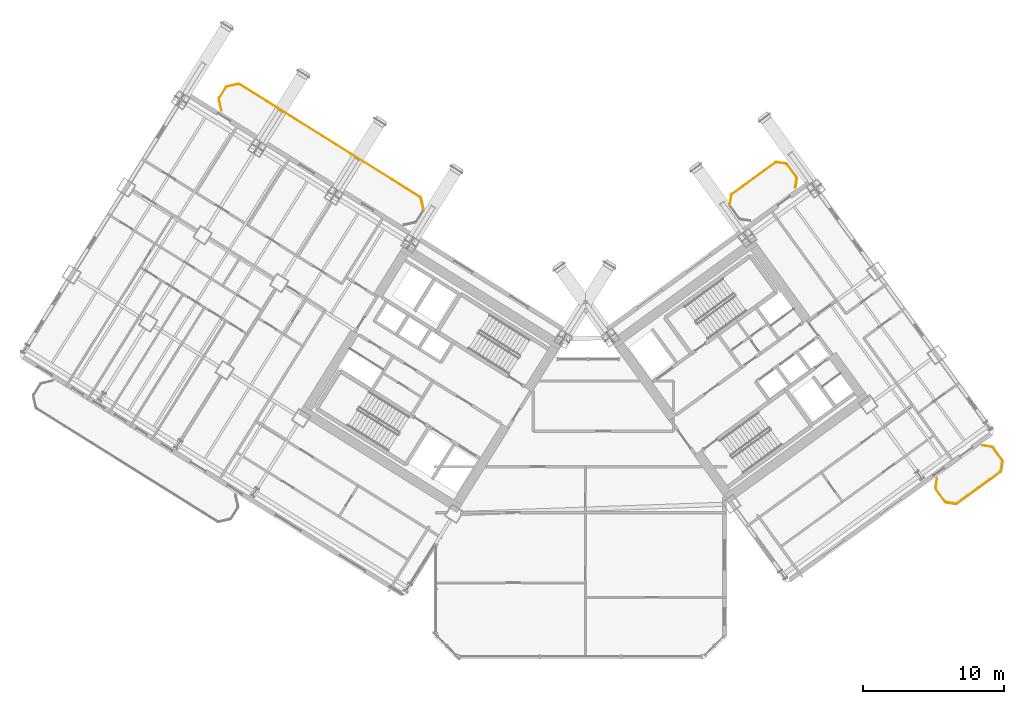
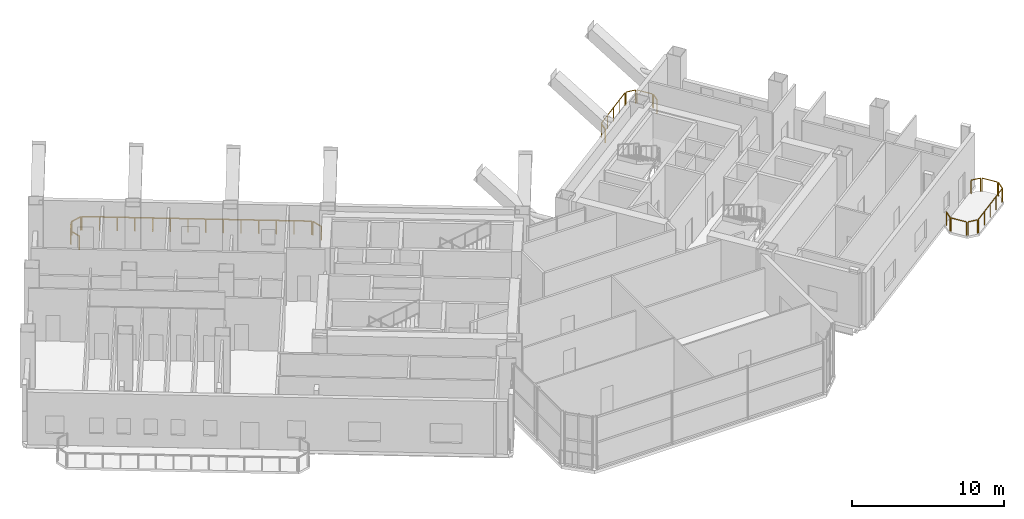
# One storey, part 30 of 30: 17 railings.
"""IFC4 building model written with IfcOpenShell, lengths in metres."""

from ifc_helpers import new_model, si_unit, direction, frame, origin, origin_2d, place, context, subcontext, project, spatial, rectangle, extrude, source, transform, mapped, material, type_object, element, save


model = new_model("IFC4")

# Units and contexts
model_context = context("Model", 3, precision=1e-05, world=origin(), true_north=direction((0.0, 1.0)))
body_context = subcontext(model_context, "Body", "Model", "MODEL_VIEW")
ifc_project = project(units=[si_unit("LENGTHUNIT", "METRE"), si_unit("AREAUNIT", "SQUARE_METRE"), si_unit("VOLUMEUNIT", "CUBIC_METRE"), si_unit("PLANEANGLEUNIT", "RADIAN"), si_unit("MASSUNIT", "GRAM", prefix="KILO")], contexts=[model_context])

# Site, building, storey
site_placement = place(None, origin())
site = spatial("IfcSite", under=ifc_project, at=site_placement, CompositionType="ELEMENT")
building_placement = place(site_placement, origin())
building = spatial("IfcBuilding", under=site, at=building_placement, Name="Tlacorven Tower", CompositionType="ELEMENT")
storey_placement = place(building_placement, frame((0.0, 0.0, 67.199951171875)))
storey = spatial("IfcBuildingStorey", under=building, at=storey_placement, Name="L17", CompositionType="ELEMENT", Elevation=67.199951171875)

# Railings
ifc_material = material(Name="Aluminium and painted steel balustrade", Category="steel")
railing_type = type_object("IfcRailingType", Name="RL-BAL-1100", PredefinedType="BALUSTRADE", material=ifc_material)
shared_shape_1 = source(origin(), body_context, "Body", "SweptSolid", [
    extrude(rectangle(XDim=0.048095703125, YDim=0.048095703125, at=origin_2d()), frame((0.0, 0.0, 1.076171875), z_axis=(0.225058334816, -0.974345290916, 0.0), x_axis=(0.974345290916, 0.225058334816, 0.0)), (0.0, 0.0, 1.0), 0.80712890625),
    extrude(rectangle(XDim=0.0419921875, YDim=0.0419921875, at=origin_2d()), origin(), (0.0, 0.0, 1.0), 1.052001953125),
    extrude(rectangle(XDim=0.0419921875, YDim=0.0419921875, at=origin_2d()), frame((0.181640625, -0.786376953125, 0.0)), (0.0, 0.0, 1.0), 1.052001953125),
])
railing_1_placement = place(storey_placement, frame((30.6796875, 34.466064453125, 0.0)))
element("IfcRailing", 1, at=railing_1_placement, inside=storey, type_object=railing_type, Name="BAL-L17-W-IN Guard Railing 1", PredefinedType="BALUSTRADE", context=body_context, shape_type="MappedRepresentation", body=[
    mapped(shared_shape_1, transform((0.0, 0.0, 0.0), scale=1.0)),
])
shared_shape_2 = source(origin(), body_context, "Body", "SweptSolid", [
    extrude(rectangle(XDim=0.048095703125, YDim=0.048095703125, at=origin_2d()), frame((0.0, 0.0, 1.076171875), z_axis=(-0.225058334816, 0.974345290916, 0.0), x_axis=(-0.974345290916, -0.225058334816, 0.0)), (0.0, 0.0, 1.0), 0.80712890625),
    extrude(rectangle(XDim=0.0419921875, YDim=0.0419921875, at=origin_2d()), origin(), (0.0, 0.0, 1.0), 1.052001953125),
    extrude(rectangle(XDim=0.0419921875, YDim=0.0419921875, at=origin_2d()), frame((-0.181640625, 0.786376953125, 0.0)), (0.0, 0.0, 1.0), 1.052001953125),
])
railing_2_placement = place(storey_placement, frame((16.5361328125, 40.68115234375, 0.0)))
element("IfcRailing", 2, at=railing_2_placement, inside=storey, type_object=railing_type, Name="BAL-L17-W-IN Guard Railing 4", PredefinedType="BALUSTRADE", context=body_context, shape_type="MappedRepresentation", body=[
    mapped(shared_shape_2, transform((0.0, 0.0, 0.0), scale=1.0)),
])
shared_shape_3 = source(origin(), body_context, "Body", "SweptSolid", [
    extrude(rectangle(XDim=0.048095703125, YDim=0.048095703125, at=origin_2d()), frame((0.0, 0.0, 1.076171875), z_axis=(0.52987865805, 0.848073468364, 0.0), x_axis=(-0.848073468364, 0.52987865805, 0.0)), (0.0, 0.0, 1.0), 0.912353515625),
    extrude(rectangle(XDim=0.0419921875, YDim=0.0419921875, at=origin_2d()), origin(), (0.0, 0.0, 1.0), 1.052001953125),
    extrude(rectangle(XDim=0.0419921875, YDim=0.0419921875, at=origin_2d()), frame((0.4833984375, 0.773681640625, 0.0)), (0.0, 0.0, 1.0), 1.052001953125),
])
railing_3_placement = place(storey_placement, frame((16.369873046875, 41.55859375, 0.0)))
element("IfcRailing", 3, at=railing_3_placement, inside=storey, type_object=railing_type, Name="BAL-L17-W-IN Guard Railing 5", PredefinedType="BALUSTRADE", context=body_context, shape_type="MappedRepresentation", body=[
    mapped(shared_shape_3, transform((0.0, 0.0, 0.0), scale=1.0)),
])
shared_shape_4 = source(origin(), body_context, "Body", "SweptSolid", [
    extrude(rectangle(XDim=0.048095703125, YDim=0.048095703125, at=origin_2d()), frame((0.0, 0.0, 1.076171875), z_axis=(0.974411586182, 0.224771129628, 0.0), x_axis=(-0.224771129628, 0.974411586182, 0.0)), (0.0, 0.0, 1.0), 0.80712890625),
    extrude(rectangle(XDim=0.0419921875, YDim=0.0419921875, at=origin_2d()), origin(), (0.0, 0.0, 1.0), 1.052001953125),
    extrude(rectangle(XDim=0.0419921875, YDim=0.0419921875, at=origin_2d()), frame((0.786376953125, 0.181396484375, 0.0)), (0.0, 0.0, 1.0), 1.052001953125),
])
railing_4_placement = place(storey_placement, frame((16.928466796875, 42.385986328125, 0.0)))
element("IfcRailing", 4, at=railing_4_placement, inside=storey, type_object=railing_type, Name="BAL-L17-W-IN Guard Railing 6", PredefinedType="BALUSTRADE", context=body_context, shape_type="MappedRepresentation", body=[
    mapped(shared_shape_4, transform((0.0, 0.0, 0.0), scale=1.0)),
])
shared_shape_5 = source(origin(), body_context, "Body", "SweptSolid", [
    extrude(rectangle(XDim=0.048095703125, YDim=0.048095703125, at=origin_2d()), frame((0.0, 0.0, 1.076171875), z_axis=(0.848044572804, -0.529924902733, 0.0), x_axis=(0.529924902733, 0.848044572804, 0.0)), (0.0, 0.0, 1.0), 15.1171875),
    extrude(rectangle(XDim=0.0419921875, YDim=0.0419921875, at=origin_2d()), origin(), (0.0, 0.0, 1.0), 1.052001953125),
    extrude(rectangle(XDim=0.0419921875, YDim=0.0419921875, at=origin_2d()), frame((0.986083984375, -0.6162109375, 0.0)), (0.0, 0.0, 1.0), 1.052001953125),
    extrude(rectangle(XDim=0.0419921875, YDim=0.0419921875, at=origin_2d()), frame((1.972412109375, -1.232421875, 0.0)), (0.0, 0.0, 1.0), 1.052001953125),
    extrude(rectangle(XDim=0.0419921875, YDim=0.0419921875, at=origin_2d()), frame((2.95849609375, -1.8486328125, 0.0)), (0.0, 0.0, 1.0), 1.052001953125),
    extrude(rectangle(XDim=0.0419921875, YDim=0.0419921875, at=origin_2d()), frame((3.944580078125, -2.46484375, 0.0)), (0.0, 0.0, 1.0), 1.052001953125),
    extrude(rectangle(XDim=0.0419921875, YDim=0.0419921875, at=origin_2d()), frame((4.930908203125, -3.0810546875, 0.0)), (0.0, 0.0, 1.0), 1.052001953125),
    extrude(rectangle(XDim=0.0419921875, YDim=0.0419921875, at=origin_2d()), frame((5.9169921875, -3.697265625, 0.0)), (0.0, 0.0, 1.0), 1.052001953125),
    extrude(rectangle(XDim=0.0419921875, YDim=0.0419921875, at=origin_2d()), frame((6.903076171875, -4.313720703125, 0.0)), (0.0, 0.0, 1.0), 1.052001953125),
    extrude(rectangle(XDim=0.0419921875, YDim=0.0419921875, at=origin_2d()), frame((7.88916015625, -4.929931640625, 0.0)), (0.0, 0.0, 1.0), 1.052001953125),
    extrude(rectangle(XDim=0.0419921875, YDim=0.0419921875, at=origin_2d()), frame((8.87548828125, -5.546142578125, 0.0)), (0.0, 0.0, 1.0), 1.052001953125),
    extrude(rectangle(XDim=0.0419921875, YDim=0.0419921875, at=origin_2d()), frame((9.861572265625, -6.162353515625, 0.0)), (0.0, 0.0, 1.0), 1.052001953125),
    extrude(rectangle(XDim=0.0419921875, YDim=0.0419921875, at=origin_2d()), frame((10.84765625, -6.778564453125, 0.0)), (0.0, 0.0, 1.0), 1.052001953125),
    extrude(rectangle(XDim=0.0419921875, YDim=0.0419921875, at=origin_2d()), frame((11.833984375, -7.394775390625, 0.0)), (0.0, 0.0, 1.0), 1.052001953125),
    extrude(rectangle(XDim=0.0419921875, YDim=0.0419921875, at=origin_2d()), frame((12.820068359375, -8.010986328125, 0.0)), (0.0, 0.0, 1.0), 1.052001953125),
])
railing_5_placement = place(storey_placement, frame((17.805908203125, 42.55224609375, 0.0)))
element("IfcRailing", 5, at=railing_5_placement, inside=storey, type_object=railing_type, Name="BAL-L17-W-IN Guard Railing 7", PredefinedType="BALUSTRADE", context=body_context, shape_type="MappedRepresentation", body=[
    mapped(shared_shape_5, transform((0.0, 0.0, 0.0), scale=1.0)),
])
shared_shape_6 = source(origin(), body_context, "Body", "SweptSolid", [
    extrude(rectangle(XDim=0.048095703125, YDim=0.048095703125, at=origin_2d()), frame((0.0, 0.0, 1.076171875), z_axis=(-0.987661653326, 0.156602868908, 0.0), x_axis=(-0.156602868908, -0.987661653326, 0.0)), (0.0, 0.0, 1.0), 0.665771484375),
    extrude(rectangle(XDim=0.0419921875, YDim=0.0419921875, at=origin_2d()), origin(), (0.0, 0.0, 1.0), 1.052001953125),
    extrude(rectangle(XDim=0.0419921875, YDim=0.0419921875, at=origin_2d()), frame((-0.657470703125, 0.104248046875, 0.0)), (0.0, 0.0, 1.0), 1.052001953125),
])
railing_6_placement = place(storey_placement, frame((68.59521484375, 12.7919921875, 0.0)))
element("IfcRailing", 6, at=railing_6_placement, inside=storey, type_object=railing_type, Name="BAL-L17-E-OUT Guard Railing 1", PredefinedType="BALUSTRADE", context=body_context, shape_type="MappedRepresentation", body=[
    mapped(shared_shape_6, transform((0.0, 0.0, 0.0), scale=1.0)),
])
shared_shape_7 = source(origin(), body_context, "Body", "SweptSolid", [
    extrude(rectangle(XDim=0.048095703125, YDim=0.048095703125, at=origin_2d()), frame((0.0, 0.0, 1.076171875), z_axis=(-0.58788449985, 0.808944877501, 0.0), x_axis=(-0.808944877501, -0.58788449985, 0.0)), (0.0, 0.0, 1.0), 1.112060546875),
    extrude(rectangle(XDim=0.0419921875, YDim=0.0419921875, at=origin_2d()), origin(), (0.0, 0.0, 1.0), 1.052001953125),
    extrude(rectangle(XDim=0.0419921875, YDim=0.0419921875, at=origin_2d()), frame((-0.65380859375, 0.899658203125, 0.0)), (0.0, 0.0, 1.0), 1.052001953125),
])
railing_7_placement = place(storey_placement, frame((67.85888671875, 12.944580078125, 0.0)))
element("IfcRailing", 7, at=railing_7_placement, inside=storey, type_object=railing_type, Name="BAL-L17-E-OUT Guard Railing 2", PredefinedType="BALUSTRADE", context=body_context, shape_type="MappedRepresentation", body=[
    mapped(shared_shape_7, transform((0.0, 0.0, 0.0), scale=1.0)),
])
shared_shape_8 = source(origin(), body_context, "Body", "SweptSolid", [
    extrude(rectangle(XDim=0.048095703125, YDim=0.048095703125, at=origin_2d()), frame((0.0, 0.0, 1.076171875), z_axis=(0.156602868908, 0.987661653326, 0.0), x_axis=(-0.987661653326, 0.156602868908, 0.0)), (0.0, 0.0, 1.0), 0.665771484375),
    extrude(rectangle(XDim=0.0419921875, YDim=0.0419921875, at=origin_2d()), origin(), (0.0, 0.0, 1.0), 1.052001953125),
    extrude(rectangle(XDim=0.0419921875, YDim=0.0419921875, at=origin_2d()), frame((0.104248046875, 0.657470703125, 0.0)), (0.0, 0.0, 1.0), 1.052001953125),
])
railing_8_placement = place(storey_placement, frame((67.18359375, 13.93408203125, 0.0)))
element("IfcRailing", 8, at=railing_8_placement, inside=storey, type_object=railing_type, Name="BAL-L17-E-OUT Guard Railing 3", PredefinedType="BALUSTRADE", context=body_context, shape_type="MappedRepresentation", body=[
    mapped(shared_shape_8, transform((0.0, 0.0, 0.0), scale=1.0)),
])
shared_shape_9 = source(origin(), body_context, "Body", "SweptSolid", [
    extrude(rectangle(XDim=0.048095703125, YDim=0.048095703125, at=origin_2d()), frame((0.0, 0.0, 1.076171875), z_axis=(0.987718317463, -0.156245081039, 0.0), x_axis=(0.156245081039, 0.987718317463, 0.0)), (0.0, 0.0, 1.0), 0.66552734375),
    extrude(rectangle(XDim=0.0419921875, YDim=0.0419921875, at=origin_2d()), origin(), (0.0, 0.0, 1.0), 1.052001953125),
    extrude(rectangle(XDim=0.0419921875, YDim=0.0419921875, at=origin_2d()), frame((0.657470703125, -0.10400390625, 0.0)), (0.0, 0.0, 1.0), 1.052001953125),
])
railing_9_placement = place(storey_placement, frame((70.513916015625, 16.935546875, 0.0)))
element("IfcRailing", 9, at=railing_9_placement, inside=storey, type_object=railing_type, Name="BAL-L17-E-OUT Guard Railing 4", PredefinedType="BALUSTRADE", context=body_context, shape_type="MappedRepresentation", body=[
    mapped(shared_shape_9, transform((0.0, 0.0, 0.0), scale=1.0)),
])
shared_shape_10 = source(origin(), body_context, "Body", "SweptSolid", [
    extrude(rectangle(XDim=0.048095703125, YDim=0.048095703125, at=origin_2d()), frame((0.0, 0.0, 1.076171875), z_axis=(0.58788449985, -0.808944877501, 0.0), x_axis=(0.808944877501, 0.58788449985, 0.0)), (0.0, 0.0, 1.0), 1.112060546875),
    extrude(rectangle(XDim=0.0419921875, YDim=0.0419921875, at=origin_2d()), origin(), (0.0, 0.0, 1.0), 1.052001953125),
    extrude(rectangle(XDim=0.0419921875, YDim=0.0419921875, at=origin_2d()), frame((0.65380859375, -0.899658203125, 0.0)), (0.0, 0.0, 1.0), 1.052001953125),
])
for number, where, name in (
    (10, (71.250244140625, 16.783203125, 0.0), "BAL-L17-E-OUT Guard Railing 5"),
    (11, (56.658447265625, 36.866943359375, 0.0), "BAL-L17-E-IN Guard Railing 6"),
):
    element("IfcRailing", number, at=place(storey_placement, frame(where)), inside=storey, type_object=railing_type, Name=name, PredefinedType="BALUSTRADE", context=body_context, shape_type="MappedRepresentation", body=[
        mapped(shared_shape_10, transform((0.0, 0.0, 0.0), scale=1.0)),
    ])
shared_shape_11 = source(origin(), body_context, "Body", "SweptSolid", [
    extrude(rectangle(XDim=0.048095703125, YDim=0.048095703125, at=origin_2d()), frame((0.0, 0.0, 1.076171875), z_axis=(-0.156188498702, -0.987727266442, 0.0), x_axis=(0.987727266442, -0.156188498702, 0.0)), (0.0, 0.0, 1.0), 0.665771484375),
    extrude(rectangle(XDim=0.0419921875, YDim=0.0419921875, at=origin_2d()), origin(), (0.0, 0.0, 1.0), 1.052001953125),
    extrude(rectangle(XDim=0.0419921875, YDim=0.0419921875, at=origin_2d()), frame((-0.10400390625, -0.65771484375, 0.0)), (0.0, 0.0, 1.0), 1.052001953125),
])
railing_10_placement = place(storey_placement, frame((71.925537109375, 15.793701171875, 0.0)))
element("IfcRailing", 12, at=railing_10_placement, inside=storey, type_object=railing_type, Name="BAL-L17-E-OUT Guard Railing 6", PredefinedType="BALUSTRADE", context=body_context, shape_type="MappedRepresentation", body=[
    mapped(shared_shape_11, transform((0.0, 0.0, 0.0), scale=1.0)),
])
shared_shape_12 = source(origin(), body_context, "Body", "SweptSolid", [
    extrude(rectangle(XDim=0.048095703125, YDim=0.048095703125, at=origin_2d()), frame((0.0, 0.0, 1.076171875), z_axis=(-0.809018102573, -0.587783726986, 0.0), x_axis=(0.587783726986, -0.809018102573, 0.0)), (0.0, 0.0, 1.0), 3.817138671875),
    extrude(rectangle(XDim=0.0419921875, YDim=0.0419921875, at=origin_2d()), origin(), (0.0, 0.0, 1.0), 1.052001953125),
    extrude(rectangle(XDim=0.0419921875, YDim=0.0419921875, at=origin_2d()), frame((-0.77197265625, -0.56103515625, 0.0)), (0.0, 0.0, 1.0), 1.052001953125),
    extrude(rectangle(XDim=0.0419921875, YDim=0.0419921875, at=origin_2d()), frame((-1.5439453125, -1.121826171875, 0.0)), (0.0, 0.0, 1.0), 1.052001953125),
    extrude(rectangle(XDim=0.0419921875, YDim=0.0419921875, at=origin_2d()), frame((-2.316162109375, -1.6826171875, 0.0)), (0.0, 0.0, 1.0), 1.052001953125),
    extrude(rectangle(XDim=0.0419921875, YDim=0.0419921875, at=origin_2d()), frame((-3.088134765625, -2.24365234375, 0.0)), (0.0, 0.0, 1.0), 1.052001953125),
])
railing_11_placement = place(storey_placement, frame((71.773193359375, 15.057373046875, 0.0)))
element("IfcRailing", 13, at=railing_11_placement, inside=storey, type_object=railing_type, Name="BAL-L17-E-OUT Guard Railing 7", PredefinedType="BALUSTRADE", context=body_context, shape_type="MappedRepresentation", body=[
    mapped(shared_shape_12, transform((0.0, 0.0, 0.0), scale=1.0)),
])
shared_shape_13 = source(origin(), body_context, "Body", "SweptSolid", [
    extrude(rectangle(XDim=0.048095703125, YDim=0.048095703125, at=origin_2d()), frame((0.0, 0.0, 1.076171875), z_axis=(0.156546163506, 0.987670642822, 0.0), x_axis=(-0.987670642822, 0.156546163506, 0.0)), (0.0, 0.0, 1.0), 0.666015625),
    extrude(rectangle(XDim=0.0419921875, YDim=0.0419921875, at=origin_2d()), origin(), (0.0, 0.0, 1.0), 1.052001953125),
    extrude(rectangle(XDim=0.0419921875, YDim=0.0419921875, at=origin_2d()), frame((0.104248046875, 0.65771484375, 0.0)), (0.0, 0.0, 1.0), 1.052001953125),
])
railing_12_placement = place(storey_placement, frame((52.591796875, 34.017822265625, 0.0)))
element("IfcRailing", 14, at=railing_12_placement, inside=storey, type_object=railing_type, Name="BAL-L17-E-IN Guard Railing 3", PredefinedType="BALUSTRADE", context=body_context, shape_type="MappedRepresentation", body=[
    mapped(shared_shape_13, transform((0.0, 0.0, 0.0), scale=1.0)),
])
shared_shape_14 = source(origin(), body_context, "Body", "SweptSolid", [
    extrude(rectangle(XDim=0.048095703125, YDim=0.048095703125, at=origin_2d()), frame((0.0, 0.0, 1.076171875), z_axis=(0.809040198054, 0.587753313843, 0.0), x_axis=(-0.587753313843, 0.809040198054, 0.0)), (0.0, 0.0, 1.0), 3.8173828125),
    extrude(rectangle(XDim=0.0419921875, YDim=0.0419921875, at=origin_2d()), origin(), (0.0, 0.0, 1.0), 1.052001953125),
    extrude(rectangle(XDim=0.0419921875, YDim=0.0419921875, at=origin_2d()), frame((0.77197265625, 0.56103515625, 0.0)), (0.0, 0.0, 1.0), 1.052001953125),
    extrude(rectangle(XDim=0.0419921875, YDim=0.0419921875, at=origin_2d()), frame((1.544189453125, 1.121826171875, 0.0)), (0.0, 0.0, 1.0), 1.052001953125),
    extrude(rectangle(XDim=0.0419921875, YDim=0.0419921875, at=origin_2d()), frame((2.31640625, 1.6826171875, 0.0)), (0.0, 0.0, 1.0), 1.052001953125),
    extrude(rectangle(XDim=0.0419921875, YDim=0.0419921875, at=origin_2d()), frame((3.08837890625, 2.24365234375, 0.0)), (0.0, 0.0, 1.0), 1.052001953125),
])
railing_13_placement = place(storey_placement, frame((52.744140625, 34.754150390625, 0.0)))
element("IfcRailing", 15, at=railing_13_placement, inside=storey, type_object=railing_type, Name="BAL-L17-E-IN Guard Railing 4", PredefinedType="BALUSTRADE", context=body_context, shape_type="MappedRepresentation", body=[
    mapped(shared_shape_14, transform((0.0, 0.0, 0.0), scale=1.0)),
])
shared_shape_15 = source(origin(), body_context, "Body", "SweptSolid", [
    extrude(rectangle(XDim=0.048095703125, YDim=0.048095703125, at=origin_2d()), frame((0.0, 0.0, 1.076171875), z_axis=(0.987670642822, -0.156546163506, 0.0), x_axis=(0.156546163506, 0.987670642822, 0.0)), (0.0, 0.0, 1.0), 0.666015625),
    extrude(rectangle(XDim=0.0419921875, YDim=0.0419921875, at=origin_2d()), origin(), (0.0, 0.0, 1.0), 1.052001953125),
    extrude(rectangle(XDim=0.0419921875, YDim=0.0419921875, at=origin_2d()), frame((0.65771484375, -0.104248046875, 0.0)), (0.0, 0.0, 1.0), 1.052001953125),
])
railing_14_placement = place(storey_placement, frame((55.922119140625, 37.01953125, 0.0)))
element("IfcRailing", 16, at=railing_14_placement, inside=storey, type_object=railing_type, Name="BAL-L17-E-IN Guard Railing 5", PredefinedType="BALUSTRADE", context=body_context, shape_type="MappedRepresentation", body=[
    mapped(shared_shape_15, transform((0.0, 0.0, 0.0), scale=1.0)),
])
shared_shape_16 = source(origin(), body_context, "Body", "SweptSolid", [
    extrude(rectangle(XDim=0.048095703125, YDim=0.048095703125, at=origin_2d()), frame((0.0, 0.0, 1.076171875), z_axis=(-0.156245081039, -0.987718317463, 0.0), x_axis=(0.987718317463, -0.156245081039, 0.0)), (0.0, 0.0, 1.0), 0.66552734375),
    extrude(rectangle(XDim=0.0419921875, YDim=0.0419921875, at=origin_2d()), origin(), (0.0, 0.0, 1.0), 1.052001953125),
    extrude(rectangle(XDim=0.0419921875, YDim=0.0419921875, at=origin_2d()), frame((-0.10400390625, -0.657470703125, 0.0)), (0.0, 0.0, 1.0), 1.052001953125),
])
railing_15_placement = place(storey_placement, frame((57.333740234375, 35.87744140625, 0.0)))
element("IfcRailing", 17, at=railing_15_placement, inside=storey, type_object=railing_type, Name="BAL-L17-E-IN Guard Railing 7", PredefinedType="BALUSTRADE", context=body_context, shape_type="MappedRepresentation", body=[
    mapped(shared_shape_16, transform((0.0, 0.0, 0.0), scale=1.0)),
])

save(model, "model.ifc")
